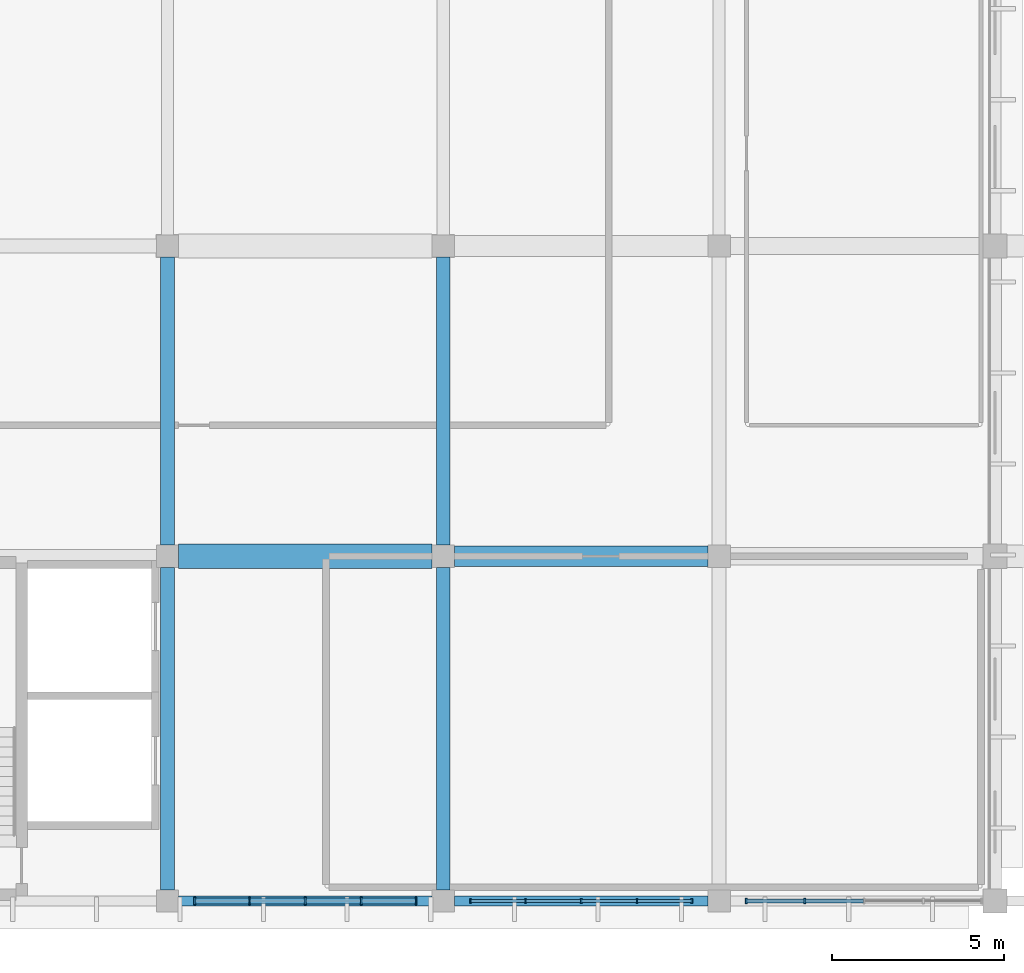
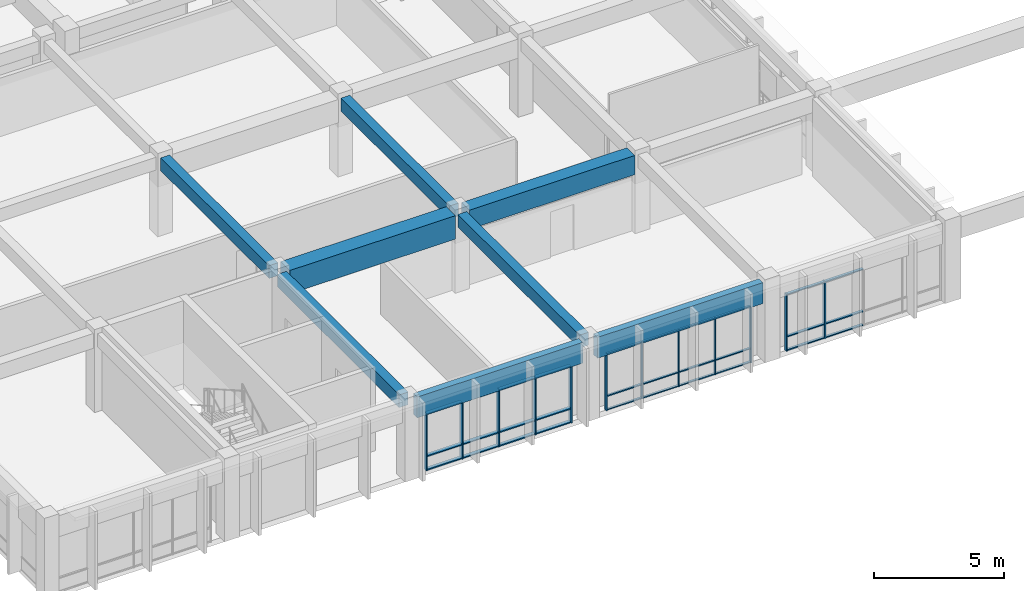
# One storey, part 26 of 98: 42 members, 8 beams, 3 elements without a shape of their own.
"""IFC4 building model written with IfcOpenShell, lengths in metres."""

from ifc_helpers import new_model, si_unit, direction, frame, origin, origin_2d, place, context, subcontext, project, spatial, rectangle, extrude, material, material_profile, profile_set, type_object, element, aggregate, save


model = new_model("IFC4")

# Units and contexts
model_context = context("Model", 3, precision=1e-05, world=origin(), true_north=direction((0.0, 1.0)))
body_context = subcontext(model_context, "Body", "Model", "MODEL_VIEW")
ifc_project = project(units=[si_unit("LENGTHUNIT", "METRE"), si_unit("AREAUNIT", "SQUARE_METRE"), si_unit("VOLUMEUNIT", "CUBIC_METRE"), si_unit("PLANEANGLEUNIT", "RADIAN"), si_unit("MASSUNIT", "GRAM", prefix="KILO")], contexts=[model_context])

# Site, building, storey
site_placement = place(None, origin())
site = spatial("IfcSite", under=ifc_project, at=site_placement, CompositionType="ELEMENT")
building_placement = place(site_placement, origin())
building = spatial("IfcBuilding", under=site, at=building_placement, Name="Larkveld Mobility Hub", CompositionType="ELEMENT")
storey_placement = place(building_placement, frame((0.0, 0.0, 4.5)))
storey = spatial("IfcBuildingStorey", under=building, at=storey_placement, Name="L01", CompositionType="ELEMENT", Elevation=4.5)

# Beams
ifc_material_1 = material(Name="Concrete C40/50", Category="concrete")
ifc_material_profile_1 = material_profile(ifc_material_1, rectangle(XDim=0.39990234375, YDim=0.60009765625, at=origin_2d()), Name="RC BM 400x600")
ifc_profile_set_1 = profile_set([ifc_material_profile_1], Name="Concrete C40/50")
beam_type_1 = type_object("IfcBeamType", Name="BM-RC4060", PredefinedType="BEAM", material=ifc_profile_set_1)
beam_1_placement = place(storey_placement, frame((128.0, 0.324951171875, 3.360107421875), z_axis=(0.0, 1.0, 0.0), x_axis=(-1.0, 0.0, 0.0)))
element("IfcBeam", 1, at=beam_1_placement, inside=storey, type_object=beam_type_1, Name="Primary N-S Girder L01-0414", PredefinedType="BEAM", context=body_context, shape_type="SweptSolid", body=[
    extrude(rectangle(XDim=0.39990234375, YDim=0.60009765625, at=origin_2d()), origin(), (0.0, 0.0, 1.0), 9.35009765625),
])
beam_2_placement = place(storey_placement, frame((128.0, 10.324951171875, 3.360107421875), z_axis=(0.0, 1.0, 0.0), x_axis=(-1.0, 0.0, 0.0)))
element("IfcBeam", 2, at=beam_2_placement, inside=storey, type_object=beam_type_1, Name="Primary N-S Girder L01-0415", PredefinedType="BEAM", context=body_context, shape_type="SweptSolid", body=[
    extrude(rectangle(XDim=0.39990234375, YDim=0.60009765625, at=origin_2d()), origin(), (0.0, 0.0, 1.0), 8.35009765625),
])
beam_3_placement = place(storey_placement, frame((136.0, 0.324951171875, 3.360107421875), z_axis=(0.0, 1.0, 0.0), x_axis=(-1.0, 0.0, 0.0)))
element("IfcBeam", 3, at=beam_3_placement, inside=storey, type_object=beam_type_1, Name="Primary N-S Girder L01-0426", PredefinedType="BEAM", context=body_context, shape_type="SweptSolid", body=[
    extrude(rectangle(XDim=0.39990234375, YDim=0.60009765625, at=origin_2d()), origin(), (0.0, 0.0, 1.0), 9.35009765625),
])
beam_4_placement = place(storey_placement, frame((136.0, 10.324951171875, 3.360107421875), z_axis=(0.0, 1.0, 0.0), x_axis=(-1.0, 0.0, 0.0)))
element("IfcBeam", 4, at=beam_4_placement, inside=storey, type_object=beam_type_1, Name="Primary N-S Girder L01-0427", PredefinedType="BEAM", context=body_context, shape_type="SweptSolid", body=[
    extrude(rectangle(XDim=0.39990234375, YDim=0.60009765625, at=origin_2d()), origin(), (0.0, 0.0, 1.0), 8.35009765625),
])
ifc_material_profile_2 = material_profile(ifc_material_1, rectangle(XDim=0.60009765625, YDim=0.89990234375, at=origin_2d()), Name="RC BM 600x900")
ifc_profile_set_2 = profile_set([ifc_material_profile_2], Name="Concrete C40/50")
beam_type_2 = type_object("IfcBeamType", Name="BM-RC6090", PredefinedType="BEAM", material=ifc_profile_set_2)
beam_5_placement = place(storey_placement, frame((136.324951171875, 10.0, 3.2099609375), z_axis=(1.0, 0.0, 0.0), x_axis=(0.0, 1.0, 0.0)))
element("IfcBeam", 5, at=beam_5_placement, inside=storey, type_object=beam_type_2, Name="Primary E-W Girder L01-0252", PredefinedType="BEAM", context=body_context, shape_type="SweptSolid", body=[
    extrude(rectangle(XDim=0.60009765625, YDim=0.89990234375, at=origin_2d()), origin(), (0.0, 0.0, 1.0), 7.35009765625),
])
ifc_material_profile_3 = material_profile(ifc_material_1, rectangle(XDim=0.699951171875, YDim=1.10009765625, at=origin_2d()), Name="RC BM 700x1100")
ifc_profile_set_3 = profile_set([ifc_material_profile_3], Name="Concrete C40/50")
beam_type_3 = type_object("IfcBeamType", Name="BM-RC70110", PredefinedType="BEAM", material=ifc_profile_set_3)
beam_6_placement = place(storey_placement, frame((128.324951171875, 10.0, 3.110107421875), z_axis=(1.0, 0.0, 0.0), x_axis=(0.0, 1.0, 0.0)))
element("IfcBeam", 6, at=beam_6_placement, inside=storey, type_object=beam_type_3, Name="Primary E-W Girder L01-0251", PredefinedType="BEAM", context=body_context, shape_type="SweptSolid", body=[
    extrude(rectangle(XDim=0.699951171875, YDim=1.10009765625, at=origin_2d()), origin(), (0.0, 0.0, 1.0), 7.35009765625),
])
ifc_material_2 = material(Name="Precast concrete C50/60", Category="concrete")
ifc_material_profile_4 = material_profile(ifc_material_2, rectangle(XDim=0.300048828125, YDim=0.97998046875, at=origin_2d()), Name="PC SP 300x980")
ifc_profile_set_4 = profile_set([ifc_material_profile_4], Name="Precast concrete C50/60")
beam_type_4 = type_object("IfcBeamType", Name="BM-SP3098", PredefinedType="SPANDREL", material=ifc_profile_set_4)
for number, where, z_axis, x_axis, name in (
    (7, (128.324951171875, 0.0, 3.169921875), (1.0, 0.0, 0.0), (0.0, 1.0, 0.0), "Primary E-W Girder L01-0244"),
    (8, (136.324951171875, 0.0, 3.169921875), (1.0, 0.0, 0.0), (0.0, 1.0, 0.0), "Primary E-W Girder L01-0245"),
):
    element("IfcBeam", number, at=place(storey_placement, frame(where, z_axis=z_axis, x_axis=x_axis)), inside=storey, type_object=beam_type_4, Name=name, PredefinedType="SPANDREL", context=body_context, shape_type="SweptSolid", body=[
        extrude(rectangle(XDim=0.300048828125, YDim=0.97998046875, at=origin_2d()), origin(), (0.0, 0.0, 1.0), 7.35009765625),
    ])

# Curtain wall, members
ifc_material_3 = material(Name="Anodised aluminium 6063-T6", Category="aluminium")
curtain_wall_type_1 = type_object("IfcCurtainWallType", Name="CW-SYS-01", PredefinedType="NOTDEFINED", material=ifc_material_3)
curtain_wall_1_placement = place(storey_placement, origin())
curtain_wall_1 = element("IfcCurtainWall", 9, at=curtain_wall_1_placement, inside=storey, type_object=curtain_wall_type_1, Name="Service Centre South Curtain Wall L01 CW-097", PredefinedType="NOTDEFINED")
ifc_material_profile_5 = material_profile(ifc_material_3, rectangle(XDim=0.050048828125, YDim=0.14990234375, at=origin_2d()), Name="ALU MULL 50x150")
ifc_profile_set_5 = profile_set([ifc_material_profile_5], Name="Anodised aluminium 6063-T6")
member_type_1 = type_object("IfcMemberType", Name="CW-MUL-01", PredefinedType="MULLION", material=ifc_profile_set_5)
member_1_placement = place(storey_placement, frame((144.7900390625, 0.0, -0.001953125), z_axis=(0.0, 0.0, 1.0), x_axis=(1.0, 0.0, 0.0)))
member_1 = element("IfcMember", 10, at=member_1_placement, type_object=member_type_1, Name="CW01 mullion 1", PredefinedType="MULLION", context=body_context, shape_type="SweptSolid", body=[
    extrude(rectangle(XDim=0.050048828125, YDim=0.14990234375, at=origin_2d()), origin(), (0.0, 0.0, 1.0), 2.681884765625),
])
member_2_placement = place(storey_placement, frame((146.48388671875, 0.0, -0.001953125), z_axis=(0.0, 0.0, 1.0), x_axis=(1.0, 0.0, 0.0)))
member_2 = element("IfcMember", 11, at=member_2_placement, type_object=member_type_1, Name="CW01 mullion 2", PredefinedType="MULLION", context=body_context, shape_type="SweptSolid", body=[
    extrude(rectangle(XDim=0.050048828125, YDim=0.14990234375, at=origin_2d()), origin(), (0.0, 0.0, 1.0), 2.681884765625),
])

curtain_wall_type_2 = type_object("IfcCurtainWallType", Name="CW-SYS-11", PredefinedType="NOTDEFINED", material=ifc_material_3)
curtain_wall_2_placement = place(storey_placement, origin())
curtain_wall_2 = element("IfcCurtainWall", 12, at=curtain_wall_2_placement, inside=storey, type_object=curtain_wall_type_2, Name="Service Centre South Curtain Wall L01 CW-095", PredefinedType="NOTDEFINED")
ifc_material_profile_6 = material_profile(ifc_material_3, rectangle(XDim=0.050048828125, YDim=0.2099609375, at=origin_2d()), Name="ALU MULL 50x210")
ifc_profile_set_6 = profile_set([ifc_material_profile_6], Name="Anodised aluminium 6063-T6")
member_type_2 = type_object("IfcMemberType", Name="CW-MUL-03", PredefinedType="MULLION", material=ifc_profile_set_6)
member_3_placement = place(storey_placement, frame((128.7900390625, 0.0, -0.001953125), z_axis=(0.0, 0.0, 1.0), x_axis=(1.0, 0.0, 0.0)))
member_3 = element("IfcMember", 13, at=member_3_placement, type_object=member_type_2, Name="CW11 mullion 1", PredefinedType="MULLION", context=body_context, shape_type="SweptSolid", body=[
    extrude(rectangle(XDim=0.050048828125, YDim=0.2099609375, at=origin_2d()), origin(), (0.0, 0.0, 1.0), 2.681884765625),
])
member_4_placement = place(storey_placement, frame((130.382080078125, 0.0, -0.001953125), z_axis=(0.0, 0.0, 1.0), x_axis=(1.0, 0.0, 0.0)))
member_4 = element("IfcMember", 14, at=member_4_placement, type_object=member_type_2, Name="CW11 mullion 2", PredefinedType="MULLION", context=body_context, shape_type="SweptSolid", body=[
    extrude(rectangle(XDim=0.050048828125, YDim=0.2099609375, at=origin_2d()), origin(), (0.0, 0.0, 1.0), 2.681884765625),
])
member_5_placement = place(storey_placement, frame((132.0, 0.0, -0.001953125), z_axis=(0.0, 0.0, 1.0), x_axis=(1.0, 0.0, 0.0)))
member_5 = element("IfcMember", 15, at=member_5_placement, type_object=member_type_2, Name="CW11 mullion 3", PredefinedType="MULLION", context=body_context, shape_type="SweptSolid", body=[
    extrude(rectangle(XDim=0.050048828125, YDim=0.2099609375, at=origin_2d()), origin(), (0.0, 0.0, 1.0), 2.681884765625),
])
member_6_placement = place(storey_placement, frame((133.617919921875, 0.0, -0.001953125), z_axis=(0.0, 0.0, 1.0), x_axis=(1.0, 0.0, 0.0)))
member_6 = element("IfcMember", 16, at=member_6_placement, type_object=member_type_2, Name="CW11 mullion 4", PredefinedType="MULLION", context=body_context, shape_type="SweptSolid", body=[
    extrude(rectangle(XDim=0.050048828125, YDim=0.2099609375, at=origin_2d()), origin(), (0.0, 0.0, 1.0), 2.681884765625),
])
member_7_placement = place(storey_placement, frame((135.2099609375, 0.0, -0.001953125), z_axis=(0.0, 0.0, 1.0), x_axis=(1.0, 0.0, 0.0)))
member_7 = element("IfcMember", 17, at=member_7_placement, type_object=member_type_2, Name="CW11 mullion 5", PredefinedType="MULLION", context=body_context, shape_type="SweptSolid", body=[
    extrude(rectangle(XDim=0.050048828125, YDim=0.2099609375, at=origin_2d()), origin(), (0.0, 0.0, 1.0), 2.681884765625),
])

curtain_wall_type_3 = type_object("IfcCurtainWallType", Name="CW-SYS-12", PredefinedType="NOTDEFINED", material=ifc_material_3)
curtain_wall_3_placement = place(storey_placement, origin())
curtain_wall_3 = element("IfcCurtainWall", 18, at=curtain_wall_3_placement, inside=storey, type_object=curtain_wall_type_3, Name="Service Centre South Curtain Wall L01 CW-096", PredefinedType="NOTDEFINED")
ifc_material_profile_7 = material_profile(ifc_material_3, rectangle(XDim=0.050048828125, YDim=0.1298828125, at=origin_2d()), Name="ALU MULL 50x130")
ifc_profile_set_7 = profile_set([ifc_material_profile_7], Name="Anodised aluminium 6063-T6")
member_type_3 = type_object("IfcMemberType", Name="CW-MUL-04", PredefinedType="MULLION", material=ifc_profile_set_7)
member_8_placement = place(storey_placement, frame((136.7900390625, 0.0, -0.001953125), z_axis=(0.0, 0.0, 1.0), x_axis=(1.0, 0.0, 0.0)))
member_8 = element("IfcMember", 19, at=member_8_placement, type_object=member_type_3, Name="CW12 mullion 1", PredefinedType="MULLION", context=body_context, shape_type="SweptSolid", body=[
    extrude(rectangle(XDim=0.050048828125, YDim=0.1298828125, at=origin_2d()), origin(), (0.0, 0.0, 1.0), 2.681884765625),
])
member_9_placement = place(storey_placement, frame((138.382080078125, 0.0, -0.001953125), z_axis=(0.0, 0.0, 1.0), x_axis=(1.0, 0.0, 0.0)))
member_9 = element("IfcMember", 20, at=member_9_placement, type_object=member_type_3, Name="CW12 mullion 2", PredefinedType="MULLION", context=body_context, shape_type="SweptSolid", body=[
    extrude(rectangle(XDim=0.050048828125, YDim=0.1298828125, at=origin_2d()), origin(), (0.0, 0.0, 1.0), 2.681884765625),
])
member_10_placement = place(storey_placement, frame((140.0, 0.0, -0.001953125), z_axis=(0.0, 0.0, 1.0), x_axis=(1.0, 0.0, 0.0)))
member_10 = element("IfcMember", 21, at=member_10_placement, type_object=member_type_3, Name="CW12 mullion 3", PredefinedType="MULLION", context=body_context, shape_type="SweptSolid", body=[
    extrude(rectangle(XDim=0.050048828125, YDim=0.1298828125, at=origin_2d()), origin(), (0.0, 0.0, 1.0), 2.681884765625),
])
member_11_placement = place(storey_placement, frame((141.617919921875, 0.0, -0.001953125), z_axis=(0.0, 0.0, 1.0), x_axis=(1.0, 0.0, 0.0)))
member_11 = element("IfcMember", 22, at=member_11_placement, type_object=member_type_3, Name="CW12 mullion 4", PredefinedType="MULLION", context=body_context, shape_type="SweptSolid", body=[
    extrude(rectangle(XDim=0.050048828125, YDim=0.1298828125, at=origin_2d()), origin(), (0.0, 0.0, 1.0), 2.681884765625),
])
member_12_placement = place(storey_placement, frame((143.2099609375, 0.0, -0.001953125), z_axis=(0.0, 0.0, 1.0), x_axis=(1.0, 0.0, 0.0)))
member_12 = element("IfcMember", 23, at=member_12_placement, type_object=member_type_3, Name="CW12 mullion 5", PredefinedType="MULLION", context=body_context, shape_type="SweptSolid", body=[
    extrude(rectangle(XDim=0.050048828125, YDim=0.1298828125, at=origin_2d()), origin(), (0.0, 0.0, 1.0), 2.681884765625),
])

# Member
ifc_material_profile_8 = material_profile(ifc_material_3, rectangle(XDim=0.1201171875, YDim=0.050048828125, at=origin_2d()), Name="ALU TRAN 50x120")
ifc_profile_set_8 = profile_set([ifc_material_profile_8], Name="Anodised aluminium 6063-T6")
member_type_4 = type_object("IfcMemberType", Name="CW-TRN-01", PredefinedType="USERDEFINED", material=ifc_profile_set_8)
member_13_placement = place(storey_placement, frame((144.800048828125, 0.0, 0.030029296875), z_axis=(1.0, 0.0, 0.0), x_axis=(0.0, 1.0, 0.0)))
member_13 = element("IfcMember", 24, at=member_13_placement, type_object=member_type_4, Name="CW01 transom 1.1", ObjectType="TRANSOM", PredefinedType="USERDEFINED", context=body_context, shape_type="SweptSolid", body=[
    extrude(rectangle(XDim=0.1201171875, YDim=0.050048828125, at=origin_2d()), origin(), (0.0, 0.0, 1.0), 1.6689453125),
])

member_14_placement = place(storey_placement, frame((144.800048828125, 0.0, 0.669921875), z_axis=(1.0, 0.0, 0.0), x_axis=(0.0, 1.0, 0.0)))
member_14 = element("IfcMember", 25, at=member_14_placement, type_object=member_type_4, Name="CW01 transom 1.2", ObjectType="TRANSOM", PredefinedType="USERDEFINED", context=body_context, shape_type="SweptSolid", body=[
    extrude(rectangle(XDim=0.1201171875, YDim=0.050048828125, at=origin_2d()), origin(), (0.0, 0.0, 1.0), 1.6689453125),
])

member_15_placement = place(storey_placement, frame((144.800048828125, 0.0, 2.64794921875), z_axis=(1.0, 0.0, 0.0), x_axis=(0.0, 1.0, 0.0)))
member_15 = element("IfcMember", 26, at=member_15_placement, type_object=member_type_4, Name="CW01 transom 1.3", ObjectType="TRANSOM", PredefinedType="USERDEFINED", context=body_context, shape_type="SweptSolid", body=[
    extrude(rectangle(XDim=0.1201171875, YDim=0.050048828125, at=origin_2d()), origin(), (0.0, 0.0, 1.0), 1.6689453125),
])

member_16_placement = place(storey_placement, frame((146.4990234375, 0.0, 0.030029296875), z_axis=(1.0, 0.0, 0.0), x_axis=(0.0, 1.0, 0.0)))
member_16 = element("IfcMember", 27, at=member_16_placement, type_object=member_type_4, Name="CW01 transom 2.1", ObjectType="TRANSOM", PredefinedType="USERDEFINED", context=body_context, shape_type="SweptSolid", body=[
    extrude(rectangle(XDim=0.1201171875, YDim=0.050048828125, at=origin_2d()), origin(), (0.0, 0.0, 1.0), 1.68896484375),
])

member_17_placement = place(storey_placement, frame((146.4990234375, 0.0, 0.669921875), z_axis=(1.0, 0.0, 0.0), x_axis=(0.0, 1.0, 0.0)))
member_17 = element("IfcMember", 28, at=member_17_placement, type_object=member_type_4, Name="CW01 transom 2.2", ObjectType="TRANSOM", PredefinedType="USERDEFINED", context=body_context, shape_type="SweptSolid", body=[
    extrude(rectangle(XDim=0.1201171875, YDim=0.050048828125, at=origin_2d()), origin(), (0.0, 0.0, 1.0), 1.68896484375),
])

member_18_placement = place(storey_placement, frame((146.4990234375, 0.0, 2.64794921875), z_axis=(1.0, 0.0, 0.0), x_axis=(0.0, 1.0, 0.0)))
member_18 = element("IfcMember", 29, at=member_18_placement, type_object=member_type_4, Name="CW01 transom 2.3", ObjectType="TRANSOM", PredefinedType="USERDEFINED", context=body_context, shape_type="SweptSolid", body=[
    extrude(rectangle(XDim=0.1201171875, YDim=0.050048828125, at=origin_2d()), origin(), (0.0, 0.0, 1.0), 1.68896484375),
])

aggregate(curtain_wall_1, [member_1, member_2, member_13, member_14, member_15, member_16, member_17, member_18])

ifc_material_profile_9 = material_profile(ifc_material_3, rectangle(XDim=0.169921875, YDim=0.050048828125, at=origin_2d()), Name="ALU TRAN 50x170")
ifc_profile_set_9 = profile_set([ifc_material_profile_9], Name="Anodised aluminium 6063-T6")
member_type_5 = type_object("IfcMemberType", Name="CW-TRN-03", PredefinedType="USERDEFINED", material=ifc_profile_set_9)
member_19_placement = place(storey_placement, frame((128.800048828125, 0.0, 0.030029296875), z_axis=(1.0, 0.0, 0.0), x_axis=(0.0, 1.0, 0.0)))
member_19 = element("IfcMember", 30, at=member_19_placement, type_object=member_type_5, Name="CW11 transom 1.1", ObjectType="TRANSOM", PredefinedType="USERDEFINED", context=body_context, shape_type="SweptSolid", body=[
    extrude(rectangle(XDim=0.169921875, YDim=0.050048828125, at=origin_2d()), origin(), (0.0, 0.0, 1.0), 1.56689453125),
])

member_20_placement = place(storey_placement, frame((128.800048828125, 0.0, 0.669921875), z_axis=(1.0, 0.0, 0.0), x_axis=(0.0, 1.0, 0.0)))
member_20 = element("IfcMember", 31, at=member_20_placement, type_object=member_type_5, Name="CW11 transom 1.2", ObjectType="TRANSOM", PredefinedType="USERDEFINED", context=body_context, shape_type="SweptSolid", body=[
    extrude(rectangle(XDim=0.169921875, YDim=0.050048828125, at=origin_2d()), origin(), (0.0, 0.0, 1.0), 1.56689453125),
])

member_21_placement = place(storey_placement, frame((128.800048828125, 0.0, 2.64794921875), z_axis=(1.0, 0.0, 0.0), x_axis=(0.0, 1.0, 0.0)))
member_21 = element("IfcMember", 32, at=member_21_placement, type_object=member_type_5, Name="CW11 transom 1.3", ObjectType="TRANSOM", PredefinedType="USERDEFINED", context=body_context, shape_type="SweptSolid", body=[
    extrude(rectangle(XDim=0.169921875, YDim=0.050048828125, at=origin_2d()), origin(), (0.0, 0.0, 1.0), 1.56689453125),
])

member_22_placement = place(storey_placement, frame((130.39697265625, 0.0, 0.030029296875), z_axis=(1.0, 0.0, 0.0), x_axis=(0.0, 1.0, 0.0)))
member_22 = element("IfcMember", 33, at=member_22_placement, type_object=member_type_5, Name="CW11 transom 2.1", ObjectType="TRANSOM", PredefinedType="USERDEFINED", context=body_context, shape_type="SweptSolid", body=[
    extrude(rectangle(XDim=0.169921875, YDim=0.050048828125, at=origin_2d()), origin(), (0.0, 0.0, 1.0), 1.588134765625),
])

member_23_placement = place(storey_placement, frame((130.39697265625, 0.0, 0.669921875), z_axis=(1.0, 0.0, 0.0), x_axis=(0.0, 1.0, 0.0)))
member_23 = element("IfcMember", 34, at=member_23_placement, type_object=member_type_5, Name="CW11 transom 2.2", ObjectType="TRANSOM", PredefinedType="USERDEFINED", context=body_context, shape_type="SweptSolid", body=[
    extrude(rectangle(XDim=0.169921875, YDim=0.050048828125, at=origin_2d()), origin(), (0.0, 0.0, 1.0), 1.588134765625),
])

member_24_placement = place(storey_placement, frame((130.39697265625, 0.0, 2.64794921875), z_axis=(1.0, 0.0, 0.0), x_axis=(0.0, 1.0, 0.0)))
member_24 = element("IfcMember", 35, at=member_24_placement, type_object=member_type_5, Name="CW11 transom 2.3", ObjectType="TRANSOM", PredefinedType="USERDEFINED", context=body_context, shape_type="SweptSolid", body=[
    extrude(rectangle(XDim=0.169921875, YDim=0.050048828125, at=origin_2d()), origin(), (0.0, 0.0, 1.0), 1.588134765625),
])

member_25_placement = place(storey_placement, frame((132.014892578125, 0.0, 0.030029296875), z_axis=(1.0, 0.0, 0.0), x_axis=(0.0, 1.0, 0.0)))
member_25 = element("IfcMember", 36, at=member_25_placement, type_object=member_type_5, Name="CW11 transom 3.1", ObjectType="TRANSOM", PredefinedType="USERDEFINED", context=body_context, shape_type="SweptSolid", body=[
    extrude(rectangle(XDim=0.169921875, YDim=0.050048828125, at=origin_2d()), origin(), (0.0, 0.0, 1.0), 1.587158203125),
])

member_26_placement = place(storey_placement, frame((132.014892578125, 0.0, 0.669921875), z_axis=(1.0, 0.0, 0.0), x_axis=(0.0, 1.0, 0.0)))
member_26 = element("IfcMember", 37, at=member_26_placement, type_object=member_type_5, Name="CW11 transom 3.2", ObjectType="TRANSOM", PredefinedType="USERDEFINED", context=body_context, shape_type="SweptSolid", body=[
    extrude(rectangle(XDim=0.169921875, YDim=0.050048828125, at=origin_2d()), origin(), (0.0, 0.0, 1.0), 1.587158203125),
])

member_27_placement = place(storey_placement, frame((132.014892578125, 0.0, 2.64794921875), z_axis=(1.0, 0.0, 0.0), x_axis=(0.0, 1.0, 0.0)))
member_27 = element("IfcMember", 38, at=member_27_placement, type_object=member_type_5, Name="CW11 transom 3.3", ObjectType="TRANSOM", PredefinedType="USERDEFINED", context=body_context, shape_type="SweptSolid", body=[
    extrude(rectangle(XDim=0.169921875, YDim=0.050048828125, at=origin_2d()), origin(), (0.0, 0.0, 1.0), 1.587158203125),
])

member_28_placement = place(storey_placement, frame((133.632080078125, 0.0, 0.030029296875), z_axis=(1.0, 0.0, 0.0), x_axis=(0.0, 1.0, 0.0)))
member_28 = element("IfcMember", 39, at=member_28_placement, type_object=member_type_5, Name="CW11 transom 4.1", ObjectType="TRANSOM", PredefinedType="USERDEFINED", context=body_context, shape_type="SweptSolid", body=[
    extrude(rectangle(XDim=0.169921875, YDim=0.050048828125, at=origin_2d()), origin(), (0.0, 0.0, 1.0), 1.56787109375),
])

member_29_placement = place(storey_placement, frame((133.632080078125, 0.0, 0.669921875), z_axis=(1.0, 0.0, 0.0), x_axis=(0.0, 1.0, 0.0)))
member_29 = element("IfcMember", 40, at=member_29_placement, type_object=member_type_5, Name="CW11 transom 4.2", ObjectType="TRANSOM", PredefinedType="USERDEFINED", context=body_context, shape_type="SweptSolid", body=[
    extrude(rectangle(XDim=0.169921875, YDim=0.050048828125, at=origin_2d()), origin(), (0.0, 0.0, 1.0), 1.56787109375),
])

member_30_placement = place(storey_placement, frame((133.632080078125, 0.0, 2.64794921875), z_axis=(1.0, 0.0, 0.0), x_axis=(0.0, 1.0, 0.0)))
member_30 = element("IfcMember", 41, at=member_30_placement, type_object=member_type_5, Name="CW11 transom 4.3", ObjectType="TRANSOM", PredefinedType="USERDEFINED", context=body_context, shape_type="SweptSolid", body=[
    extrude(rectangle(XDim=0.169921875, YDim=0.050048828125, at=origin_2d()), origin(), (0.0, 0.0, 1.0), 1.56787109375),
])

aggregate(curtain_wall_2, [member_3, member_4, member_5, member_6, member_7, member_19, member_20, member_21, member_22, member_23, member_24, member_25, member_26, member_27, member_28, member_29, member_30])

ifc_material_profile_10 = material_profile(ifc_material_3, rectangle(XDim=0.10009765625, YDim=0.050048828125, at=origin_2d()), Name="ALU TRAN 50x100")
ifc_profile_set_10 = profile_set([ifc_material_profile_10], Name="Anodised aluminium 6063-T6")
member_type_6 = type_object("IfcMemberType", Name="CW-TRN-04", PredefinedType="USERDEFINED", material=ifc_profile_set_10)
member_31_placement = place(storey_placement, frame((136.800048828125, 0.0, 0.030029296875), z_axis=(1.0, 0.0, 0.0), x_axis=(0.0, 1.0, 0.0)))
member_31 = element("IfcMember", 42, at=member_31_placement, type_object=member_type_6, Name="CW12 transom 1.1", ObjectType="TRANSOM", PredefinedType="USERDEFINED", context=body_context, shape_type="SweptSolid", body=[
    extrude(rectangle(XDim=0.10009765625, YDim=0.050048828125, at=origin_2d()), origin(), (0.0, 0.0, 1.0), 1.56689453125),
])

member_32_placement = place(storey_placement, frame((136.800048828125, 0.0, 0.669921875), z_axis=(1.0, 0.0, 0.0), x_axis=(0.0, 1.0, 0.0)))
member_32 = element("IfcMember", 43, at=member_32_placement, type_object=member_type_6, Name="CW12 transom 1.2", ObjectType="TRANSOM", PredefinedType="USERDEFINED", context=body_context, shape_type="SweptSolid", body=[
    extrude(rectangle(XDim=0.10009765625, YDim=0.050048828125, at=origin_2d()), origin(), (0.0, 0.0, 1.0), 1.56689453125),
])

member_33_placement = place(storey_placement, frame((136.800048828125, 0.0, 2.64794921875), z_axis=(1.0, 0.0, 0.0), x_axis=(0.0, 1.0, 0.0)))
member_33 = element("IfcMember", 44, at=member_33_placement, type_object=member_type_6, Name="CW12 transom 1.3", ObjectType="TRANSOM", PredefinedType="USERDEFINED", context=body_context, shape_type="SweptSolid", body=[
    extrude(rectangle(XDim=0.10009765625, YDim=0.050048828125, at=origin_2d()), origin(), (0.0, 0.0, 1.0), 1.56689453125),
])

member_34_placement = place(storey_placement, frame((138.39697265625, 0.0, 0.030029296875), z_axis=(1.0, 0.0, 0.0), x_axis=(0.0, 1.0, 0.0)))
member_34 = element("IfcMember", 45, at=member_34_placement, type_object=member_type_6, Name="CW12 transom 2.1", ObjectType="TRANSOM", PredefinedType="USERDEFINED", context=body_context, shape_type="SweptSolid", body=[
    extrude(rectangle(XDim=0.10009765625, YDim=0.050048828125, at=origin_2d()), origin(), (0.0, 0.0, 1.0), 1.588134765625),
])

member_35_placement = place(storey_placement, frame((138.39697265625, 0.0, 0.669921875), z_axis=(1.0, 0.0, 0.0), x_axis=(0.0, 1.0, 0.0)))
member_35 = element("IfcMember", 46, at=member_35_placement, type_object=member_type_6, Name="CW12 transom 2.2", ObjectType="TRANSOM", PredefinedType="USERDEFINED", context=body_context, shape_type="SweptSolid", body=[
    extrude(rectangle(XDim=0.10009765625, YDim=0.050048828125, at=origin_2d()), origin(), (0.0, 0.0, 1.0), 1.588134765625),
])

member_36_placement = place(storey_placement, frame((138.39697265625, 0.0, 2.64794921875), z_axis=(1.0, 0.0, 0.0), x_axis=(0.0, 1.0, 0.0)))
member_36 = element("IfcMember", 47, at=member_36_placement, type_object=member_type_6, Name="CW12 transom 2.3", ObjectType="TRANSOM", PredefinedType="USERDEFINED", context=body_context, shape_type="SweptSolid", body=[
    extrude(rectangle(XDim=0.10009765625, YDim=0.050048828125, at=origin_2d()), origin(), (0.0, 0.0, 1.0), 1.588134765625),
])

member_37_placement = place(storey_placement, frame((140.014892578125, 0.0, 0.030029296875), z_axis=(1.0, 0.0, 0.0), x_axis=(0.0, 1.0, 0.0)))
member_37 = element("IfcMember", 48, at=member_37_placement, type_object=member_type_6, Name="CW12 transom 3.1", ObjectType="TRANSOM", PredefinedType="USERDEFINED", context=body_context, shape_type="SweptSolid", body=[
    extrude(rectangle(XDim=0.10009765625, YDim=0.050048828125, at=origin_2d()), origin(), (0.0, 0.0, 1.0), 1.587158203125),
])

member_38_placement = place(storey_placement, frame((140.014892578125, 0.0, 0.669921875), z_axis=(1.0, 0.0, 0.0), x_axis=(0.0, 1.0, 0.0)))
member_38 = element("IfcMember", 49, at=member_38_placement, type_object=member_type_6, Name="CW12 transom 3.2", ObjectType="TRANSOM", PredefinedType="USERDEFINED", context=body_context, shape_type="SweptSolid", body=[
    extrude(rectangle(XDim=0.10009765625, YDim=0.050048828125, at=origin_2d()), origin(), (0.0, 0.0, 1.0), 1.587158203125),
])

member_39_placement = place(storey_placement, frame((140.014892578125, 0.0, 2.64794921875), z_axis=(1.0, 0.0, 0.0), x_axis=(0.0, 1.0, 0.0)))
member_39 = element("IfcMember", 50, at=member_39_placement, type_object=member_type_6, Name="CW12 transom 3.3", ObjectType="TRANSOM", PredefinedType="USERDEFINED", context=body_context, shape_type="SweptSolid", body=[
    extrude(rectangle(XDim=0.10009765625, YDim=0.050048828125, at=origin_2d()), origin(), (0.0, 0.0, 1.0), 1.587158203125),
])

member_40_placement = place(storey_placement, frame((141.632080078125, 0.0, 0.030029296875), z_axis=(1.0, 0.0, 0.0), x_axis=(0.0, 1.0, 0.0)))
member_40 = element("IfcMember", 51, at=member_40_placement, type_object=member_type_6, Name="CW12 transom 4.1", ObjectType="TRANSOM", PredefinedType="USERDEFINED", context=body_context, shape_type="SweptSolid", body=[
    extrude(rectangle(XDim=0.10009765625, YDim=0.050048828125, at=origin_2d()), origin(), (0.0, 0.0, 1.0), 1.56787109375),
])

member_41_placement = place(storey_placement, frame((141.632080078125, 0.0, 0.669921875), z_axis=(1.0, 0.0, 0.0), x_axis=(0.0, 1.0, 0.0)))
member_41 = element("IfcMember", 52, at=member_41_placement, type_object=member_type_6, Name="CW12 transom 4.2", ObjectType="TRANSOM", PredefinedType="USERDEFINED", context=body_context, shape_type="SweptSolid", body=[
    extrude(rectangle(XDim=0.10009765625, YDim=0.050048828125, at=origin_2d()), origin(), (0.0, 0.0, 1.0), 1.56787109375),
])

member_42_placement = place(storey_placement, frame((141.632080078125, 0.0, 2.64794921875), z_axis=(1.0, 0.0, 0.0), x_axis=(0.0, 1.0, 0.0)))
member_42 = element("IfcMember", 53, at=member_42_placement, type_object=member_type_6, Name="CW12 transom 4.3", ObjectType="TRANSOM", PredefinedType="USERDEFINED", context=body_context, shape_type="SweptSolid", body=[
    extrude(rectangle(XDim=0.10009765625, YDim=0.050048828125, at=origin_2d()), origin(), (0.0, 0.0, 1.0), 1.56787109375),
])

aggregate(curtain_wall_3, [member_8, member_9, member_10, member_11, member_12, member_31, member_32, member_33, member_34, member_35, member_36, member_37, member_38, member_39, member_40, member_41, member_42])

save(model, "model.ifc")
